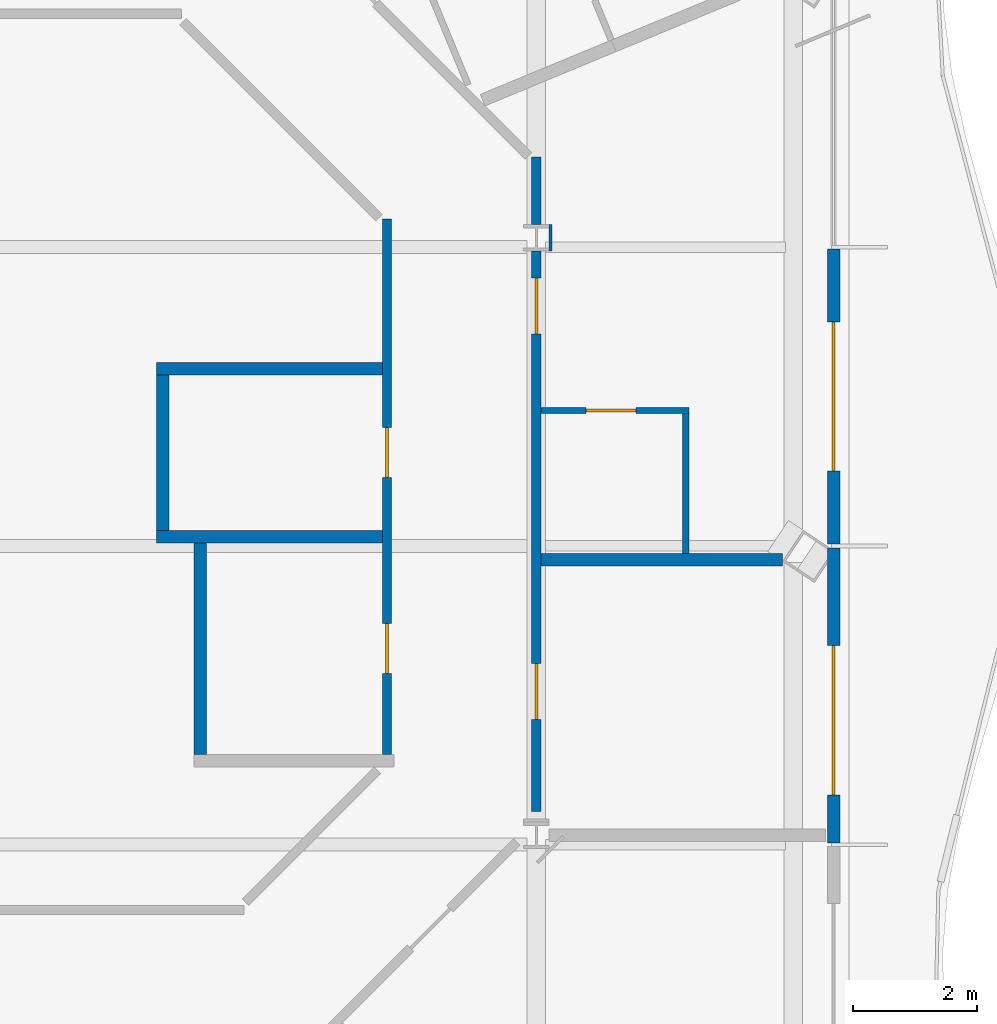
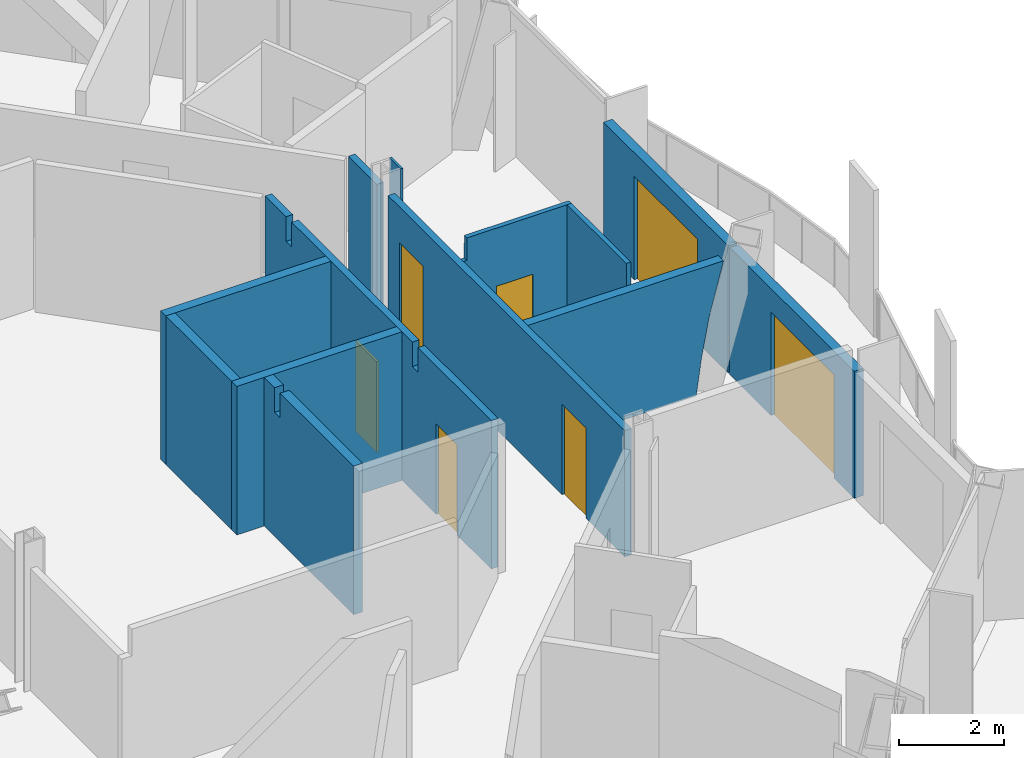
# One storey, part 11 of 22: 13 walls, 7 doors, 7 openings.
"""IFC4 building model written with IfcOpenShell, lengths in metres."""

from ifc_helpers import new_model, si_unit, direction, frame, frame_2d, origin, place, context, subcontext, project, spatial, polyline, rectangle, outline, extrude, material, layer, layer_set, type_object, element, fill, save


model = new_model("IFC4")

# Units and contexts
model_context = context("Model", 3, precision=1e-05, world=origin(), true_north=direction((0.0, 1.0)))
body_context = subcontext(model_context, "Body", "Model", "MODEL_VIEW")
ifc_project = project(units=[si_unit("LENGTHUNIT", "METRE"), si_unit("AREAUNIT", "SQUARE_METRE"), si_unit("VOLUMEUNIT", "CUBIC_METRE"), si_unit("PLANEANGLEUNIT", "RADIAN"), si_unit("MASSUNIT", "GRAM", prefix="KILO")], contexts=[model_context])

# Site, building, storey
site_placement = place(None, origin())
site = spatial("IfcSite", under=ifc_project, at=site_placement, CompositionType="ELEMENT")
building_placement = place(site_placement, origin())
building = spatial("IfcBuilding", under=site, at=building_placement, Name="Cairn Pilgrim Tower", CompositionType="ELEMENT")
storey_placement = place(building_placement, frame((0.0, 0.0, 175.800048828125)))
storey = spatial("IfcBuildingStorey", under=building, at=storey_placement, Name="L44", CompositionType="ELEMENT", Elevation=175.800048828125)

# Wall, opening, door
ifc_material_1 = material(Name="Bronze anodised aluminium insulated sandwich panel with mineral wool fill", Category="aluminium")
ifc_layer_1 = layer(ifc_material_1, 0.199951171875)
ifc_layer_set_1 = layer_set([ifc_layer_1], Name="BRONZE INFILL FRAME WALL 200")
wall_type_1 = type_object("IfcWallType", Name="BRONZE INFILL FRAME WALL 200", PredefinedType="NOTDEFINED", material=ifc_layer_set_1)
wall_1_placement = place(storey_placement, frame((35.97509765625, -0.1201171875, 0.0), z_axis=(0.0, 0.0, 1.0), x_axis=(0.0, 1.0, 0.0)))
wall_1 = element("IfcWall", 1, at=wall_1_placement, inside=storey, type_object=wall_type_1, Name="Bronze infill frame wall IW-E2", PredefinedType="NOTDEFINED", context=body_context, shape_type="SweptSolid", body=[
    extrude(rectangle(XDim=4.740234375, YDim=0.199951171875, at=frame_2d((2.3701171875, 0.0))), origin(), (0.0, 0.0, 1.0), 2.949951171875),
])
opening_1_placement = place(wall_1_placement, frame((0.77001953125, 0.0, 0.0)))
opening_1 = element("IfcOpeningElement", 2, at=opening_1_placement, cuts=wall_1, Name="Opening 4405B", PredefinedType="OPENING", context=body_context, shape_type="SweptSolid", body=[
    extrude(rectangle(XDim=2.39990234375, YDim=2.39990234375, at=frame_2d((1.199951171875, 1.199951171875))), frame((0.0, 0.10986328125, 0.0), z_axis=(0.0, -1.0, 0.0), x_axis=(1.0, 0.0, 0.0)), (0.0, 0.0, 1.0), 0.219970703125),
])
ifc_material_2 = material(Name="Bronze anodised aluminium frame with tinted low-E glass", Category="aluminium")
door_type_1 = type_object("IfcDoorType", Name="BALCONY SLIDING DOOR 2400x2400", OperationType="DOUBLE_DOOR_SLIDING", PredefinedType="DOOR", material=ifc_material_2)
door_1_placement = place(opening_1_placement, origin())
door_1 = element("IfcDoor", 3, at=door_1_placement, inside=storey, type_object=door_type_1, Name="Balcony sliding door 4405B", OperationType="SINGLE_SWING_LEFT", OverallHeight=2.39990234375, OverallWidth=2.39990234375, PredefinedType="DOOR", context=body_context, shape_type="SweptSolid", body=[
    extrude(rectangle(XDim=2.39990234375, YDim=2.39990234375, at=frame_2d((1.199951171875, 1.199951171875))), frame((0.0, 0.02490234375, 0.0), z_axis=(0.0, -1.0, 0.0), x_axis=(1.0, 0.0, 0.0)), (0.0, 0.0, 1.0), 0.050048828125),
])
fill(opening_1, door_1)

wall_2_placement = place(storey_placement, frame((35.97509765625, 4.679931640625, 0.0), z_axis=(0.0, 0.0, 1.0), x_axis=(0.0, 1.0, 0.0)))
wall_2 = element("IfcWall", 4, at=wall_2_placement, inside=storey, type_object=wall_type_1, Name="Bronze infill frame wall IW-E3", PredefinedType="NOTDEFINED", context=body_context, shape_type="SweptSolid", body=[
    extrude(rectangle(XDim=4.739990234375, YDim=0.199951171875, at=frame_2d((2.3701171875, 0.0))), origin(), (0.0, 0.0, 1.0), 2.949951171875),
])
opening_2_placement = place(wall_2_placement, frame((1.169921875, 0.0, 0.0)))
opening_2 = element("IfcOpeningElement", 5, at=opening_2_placement, cuts=wall_2, Name="Opening 4406B", PredefinedType="OPENING", context=body_context, shape_type="SweptSolid", body=[
    extrude(rectangle(XDim=2.39990234375, YDim=2.39990234375, at=frame_2d((1.199951171875, 1.199951171875))), frame((0.0, 0.10986328125, 0.0), z_axis=(0.0, -1.0, 0.0), x_axis=(1.0, 0.0, 0.0)), (0.0, 0.0, 1.0), 0.219970703125),
])
door_2_placement = place(opening_2_placement, origin())
door_2 = element("IfcDoor", 6, at=door_2_placement, inside=storey, type_object=door_type_1, Name="Balcony sliding door 4406B", OperationType="SINGLE_SWING_LEFT", OverallHeight=2.39990234375, OverallWidth=2.39990234375, PredefinedType="DOOR", context=body_context, shape_type="SweptSolid", body=[
    extrude(rectangle(XDim=2.39990234375, YDim=2.39990234375, at=frame_2d((1.199951171875, 1.199951171875))), frame((0.0, 0.02490234375, 0.0), z_axis=(0.0, -1.0, 0.0), x_axis=(1.0, 0.0, 0.0)), (0.0, 0.0, 1.0), 0.050048828125),
])
fill(opening_2, door_2)

# Wall
ifc_material_3 = material(Name="Gypsum partition")
ifc_layer_2 = layer(ifc_material_3, 0.10009765625)
ifc_layer_set_2 = layer_set([ifc_layer_2], Name="PARTITION 100 DRYWALL")
wall_type_2 = type_object("IfcWallType", Name="PARTITION 100 DRYWALL", PredefinedType="PARTITIONING", material=ifc_layer_set_2)
wall_3_placement = place(storey_placement, frame((33.60009765625, 4.52490234375, 0.0), z_axis=(0.0, 0.0, 1.0), x_axis=(0.0, 1.0, 0.0)))
element("IfcWall", 7, at=wall_3_placement, inside=storey, type_object=wall_type_2, Name="PARTITION W062", PredefinedType="PARTITIONING", context=body_context, shape_type="SweptSolid", body=[
    extrude(rectangle(XDim=2.25, YDim=0.10009765625, at=frame_2d((1.125, 0.0))), origin(), (0.0, 0.0, 1.0), 3.449951171875),
])

# Wall, opening, door
wall_4_placement = place(storey_placement, frame((31.27490234375, 6.824951171875, 0.0), z_axis=(0.0, 0.0, 1.0), x_axis=(1.0, 0.0, 0.0)))
wall_4 = element("IfcWall", 8, at=wall_4_placement, inside=storey, type_object=wall_type_2, Name="PARTITION W066", PredefinedType="PARTITIONING", context=body_context, shape_type="SweptSolid", body=[
    extrude(outline(polyline([(0.0, 0.0), (2.375, 0.0), (2.375, 3.449951171875), (0.074951171875, 3.449951171875), (0.072998046875, 2.929931640625), (0.0, 2.929931640625), (0.0, 0.0)])), frame((0.0, 0.050048828125, 0.0), z_axis=(0.0, -1.0, 0.0), x_axis=(1.0, 0.0, 0.0)), (0.0, 0.0, 1.0), 0.10009765625),
])
opening_3_placement = place(wall_4_placement, frame((0.72509765625, 0.0, 0.0)))
opening_3 = element("IfcOpeningElement", 9, at=opening_3_placement, cuts=wall_4, Name="Opening 4406A", PredefinedType="OPENING", context=body_context, shape_type="SweptSolid", body=[
    extrude(rectangle(XDim=0.800048828125, YDim=2.10009765625, at=frame_2d((0.39990234375, 1.050048828125))), frame((0.0, 0.06005859375, 0.0), z_axis=(0.0, -1.0, 0.0), x_axis=(1.0, 0.0, 0.0)), (0.0, 0.0, 1.0), 0.1201171875),
])
ifc_material_4 = material(Name="Timber door leaf", Category="wood")
door_type_2 = type_object("IfcDoorType", Name="WC DOOR 800x2100", OperationType="NOTDEFINED", PredefinedType="DOOR", material=ifc_material_4)
door_3_placement = place(opening_3_placement, origin())
door_3 = element("IfcDoor", 10, at=door_3_placement, inside=storey, type_object=door_type_2, Name="DOOR 4406A", OperationType="SINGLE_SWING_RIGHT", OverallHeight=2.10009765625, OverallWidth=0.800048828125, PredefinedType="DOOR", context=body_context, shape_type="SweptSolid", body=[
    extrude(rectangle(XDim=0.800048828125, YDim=2.10009765625, at=frame_2d((0.39990234375, 1.050048828125))), frame((0.0, 0.02490234375, 0.0), z_axis=(0.0, -1.0, 0.0), x_axis=(1.0, 0.0, 0.0)), (0.0, 0.0, 1.0), 0.050048828125),
])
fill(opening_3, door_3)

# Wall, openings, doors
ifc_layer_3 = layer(ifc_material_3, 0.14990234375)
ifc_layer_set_3 = layer_set([ifc_layer_3], Name="PARTITION 150 DRYWALL EI 60")
wall_type_3 = type_object("IfcWallType", Name="PARTITION 150 DRYWALL EI 60", PredefinedType="PARTITIONING", material=ifc_layer_set_3)
wall_5_placement = place(storey_placement, frame((31.199951171875, 0.38720703125, 0.0), z_axis=(0.0, 0.0, 1.0), x_axis=(0.0, 1.0, 0.0)))
wall_5 = element("IfcWall", 11, at=wall_5_placement, inside=storey, type_object=wall_type_3, Name="PARTITION W050", PredefinedType="PARTITIONING", context=body_context, shape_type="SweptSolid", body=[
    extrude(rectangle(XDim=9.000244140625, YDim=0.14990234375, at=frame_2d((4.5, 0.0))), origin(), (0.0, 0.0, 1.0), 2.929931640625),
])
opening_4_placement = place(wall_5_placement, frame((1.47802734375, 0.0, 0.0)))
opening_4 = element("IfcOpeningElement", 12, at=opening_4_placement, cuts=wall_5, Name="Opening 4405", PredefinedType="OPENING", context=body_context, shape_type="SweptSolid", body=[
    extrude(rectangle(XDim=0.89990234375, YDim=2.10009765625, at=frame_2d((0.449951171875, 1.050048828125))), frame((0.0, 0.0849609375, 0.0), z_axis=(0.0, -1.0, 0.0), x_axis=(1.0, 0.0, 0.0)), (0.0, 0.0, 1.0), 0.169921875),
])
opening_5_placement = place(wall_5_placement, frame((7.6708984375, 0.0, 0.0)))
opening_5 = element("IfcOpeningElement", 13, at=opening_5_placement, cuts=wall_5, Name="Opening 4406", PredefinedType="OPENING", context=body_context, shape_type="SweptSolid", body=[
    extrude(rectangle(XDim=0.89990234375, YDim=2.10009765625, at=frame_2d((0.449951171875, 1.050048828125))), frame((0.0, 0.0849609375, 0.0), z_axis=(0.0, -1.0, 0.0), x_axis=(1.0, 0.0, 0.0)), (0.0, 0.0, 1.0), 0.169921875),
])
door_type_3 = type_object("IfcDoorType", Name="ROOM DOOR 900x2100 FD30S", OperationType="NOTDEFINED", PredefinedType="DOOR", material=ifc_material_4)
door_4_placement = place(opening_5_placement, frame((0.89990234375, 0.0, 0.0), z_axis=(0.0, 0.0, 1.0), x_axis=(-1.0, 0.0, 0.0)))
door_4 = element("IfcDoor", 14, at=door_4_placement, inside=storey, type_object=door_type_3, Name="DOOR 4406", OperationType="SINGLE_SWING_RIGHT", OverallHeight=2.10009765625, OverallWidth=0.89990234375, PredefinedType="DOOR", context=body_context, shape_type="SweptSolid", body=[
    extrude(rectangle(XDim=0.89990234375, YDim=2.10009765625, at=frame_2d((0.449951171875, 1.050048828125))), frame((0.0, 0.02490234375, 0.0), z_axis=(0.0, -1.0, 0.0), x_axis=(1.0, 0.0, 0.0)), (0.0, 0.0, 1.0), 0.050048828125),
])
fill(opening_5, door_4)
door_type_4 = type_object("IfcDoorType", Name="SERVICE DOOR 900x2100 FD30S", OperationType="NOTDEFINED", PredefinedType="DOOR", material=ifc_material_4)
door_5_placement = place(opening_4_placement, frame((0.89990234375, 0.0, 0.0), z_axis=(0.0, 0.0, 1.0), x_axis=(-1.0, 0.0, 0.0)))
door_5 = element("IfcDoor", 15, at=door_5_placement, inside=storey, type_object=door_type_4, Name="DOOR 4405", OperationType="SINGLE_SWING_RIGHT", OverallHeight=2.10009765625, OverallWidth=0.89990234375, PredefinedType="DOOR", context=body_context, shape_type="SweptSolid", body=[
    extrude(rectangle(XDim=0.89990234375, YDim=2.10009765625, at=frame_2d((0.449951171875, 1.050048828125))), frame((0.0, 0.02490234375, 0.0), z_axis=(0.0, -1.0, 0.0), x_axis=(1.0, 0.0, 0.0)), (0.0, 0.0, 1.0), 0.050048828125),
])
fill(opening_4, door_5)

wall_6_placement = place(storey_placement, frame((28.800048828125, 1.300048828125, 0.0), z_axis=(0.0, 0.0, 1.0), x_axis=(0.0, 1.0, 0.0)))
wall_6 = element("IfcWall", 16, at=wall_6_placement, inside=storey, type_object=wall_type_3, Name="PARTITION W053", PredefinedType="PARTITIONING", context=body_context, shape_type="SweptSolid", body=[
    extrude(outline(polyline([(0.0, 0.0), (8.60205078125, 0.0), (8.60205078125, 3.449951171875), (7.804931640625, 3.449951171875), (7.802978515625, 2.8798828125), (7.594970703125, 2.8798828125), (7.593017578125, 3.449951171875), (3.0048828125, 3.449951171875), (3.0029296875, 2.8798828125), (2.794921875, 2.8798828125), (2.79296875, 3.449951171875), (0.0, 3.449951171875), (0.0, 0.0)])), frame((0.0, 0.074951171875, 0.0), z_axis=(0.0, -1.0, 0.0), x_axis=(1.0, 0.0, 0.0)), (0.0, 0.0, 1.0), 0.14990234375),
])
opening_6_placement = place(wall_6_placement, frame((1.300048828125, 0.0, 0.0)))
opening_6 = element("IfcOpeningElement", 17, at=opening_6_placement, cuts=wall_6, Name="Opening 4423", PredefinedType="OPENING", context=body_context, shape_type="SweptSolid", body=[
    extrude(rectangle(XDim=0.800048828125, YDim=2.10009765625, at=frame_2d((0.39990234375, 1.050048828125))), frame((0.0, 0.0849609375, 0.0), z_axis=(0.0, -1.0, 0.0), x_axis=(1.0, 0.0, 0.0)), (0.0, 0.0, 1.0), 0.169921875),
])
opening_7_placement = place(wall_6_placement, frame((4.449951171875, 0.0, 0.0)))
opening_7 = element("IfcOpeningElement", 18, at=opening_7_placement, cuts=wall_6, Name="Opening 4424", PredefinedType="OPENING", context=body_context, shape_type="SweptSolid", body=[
    extrude(rectangle(XDim=0.800048828125, YDim=2.10009765625, at=frame_2d((0.39990234375, 1.050048828125))), frame((0.0, 0.0849609375, 0.0), z_axis=(0.0, -1.0, 0.0), x_axis=(1.0, 0.0, 0.0)), (0.0, 0.0, 1.0), 0.169921875),
])
door_type_5 = type_object("IfcDoorType", Name="WC DOOR 800x2100 FD30S", OperationType="NOTDEFINED", PredefinedType="DOOR", material=ifc_material_4)
door_6_placement = place(opening_6_placement, origin())
door_6 = element("IfcDoor", 19, at=door_6_placement, inside=storey, type_object=door_type_5, Name="DOOR 4423", OperationType="SINGLE_SWING_RIGHT", OverallHeight=2.10009765625, OverallWidth=0.800048828125, PredefinedType="DOOR", context=body_context, shape_type="SweptSolid", body=[
    extrude(rectangle(XDim=0.800048828125, YDim=2.10009765625, at=frame_2d((0.39990234375, 1.050048828125))), frame((0.0, 0.02490234375, 0.0), z_axis=(0.0, -1.0, 0.0), x_axis=(1.0, 0.0, 0.0)), (0.0, 0.0, 1.0), 0.050048828125),
])
fill(opening_6, door_6)
door_7_placement = place(opening_7_placement, origin())
door_7 = element("IfcDoor", 20, at=door_7_placement, inside=storey, type_object=door_type_5, Name="DOOR 4424", OperationType="SINGLE_SWING_RIGHT", OverallHeight=2.10009765625, OverallWidth=0.800048828125, PredefinedType="DOOR", context=body_context, shape_type="SweptSolid", body=[
    extrude(rectangle(XDim=0.800048828125, YDim=2.10009765625, at=frame_2d((0.39990234375, 1.050048828125))), frame((0.0, 0.02490234375, 0.0), z_axis=(0.0, -1.0, 0.0), x_axis=(1.0, 0.0, 0.0)), (0.0, 0.0, 1.0), 0.050048828125),
])
fill(opening_7, door_7)

# Walls
wall_7_placement = place(storey_placement, frame((31.199951171875, 9.8125, 0.0), z_axis=(0.0, 0.0, 1.0), x_axis=(0.0, 1.0, 0.0)))
element("IfcWall", 21, at=wall_7_placement, inside=storey, type_object=wall_type_3, Name="PARTITION W069", PredefinedType="PARTITIONING", context=body_context, shape_type="SweptSolid", body=[
    extrude(rectangle(XDim=1.08349609375, YDim=0.14990234375, at=frame_2d((0.541748046875, 0.0))), origin(), (0.0, 0.0, 1.0), 2.929931640625),
])
ifc_layer_4 = layer(ifc_material_3, 0.050048828125)
ifc_layer_set_4 = layer_set([ifc_layer_4], Name="PARTITION 50 DRYWALL EI 60")
wall_type_4 = type_object("IfcWallType", Name="PARTITION 50 DRYWALL EI 60", PredefinedType="PARTITIONING", material=ifc_layer_set_4)
wall_8_placement = place(storey_placement, frame((31.429443359375, 9.387451171875, 0.0), z_axis=(0.0, 0.0, 1.0), x_axis=(0.0, 1.0, 0.0)))
element("IfcWall", 22, at=wall_8_placement, inside=storey, type_object=wall_type_4, Name="COLUMN CASING WC28", PredefinedType="PARTITIONING", context=body_context, shape_type="SweptSolid", body=[
    extrude(rectangle(XDim=0.425048828125, YDim=0.050048828125, at=frame_2d((0.21240234375, 0.0))), origin(), (0.0, 0.0, 1.0), 3.449951171875),
])
ifc_layer_5 = layer(ifc_material_3, 0.199951171875)
ifc_layer_set_5 = layer_set([ifc_layer_5], Name="SHAFT WALL 200 GYPSUM EI 60")
wall_type_5 = type_object("IfcWallType", Name="SHAFT WALL 200 GYPSUM EI 60", PredefinedType="PARTITIONING", material=ifc_layer_set_5)
wall_9_placement = place(storey_placement, frame((25.800048828125, 1.300048828125, 0.0), z_axis=(0.0, 0.0, 1.0), x_axis=(0.0, 1.0, 0.0)))
element("IfcWall", 23, at=wall_9_placement, inside=storey, type_object=wall_type_5, Name="PARTITION W052", PredefinedType="PARTITIONING", context=body_context, shape_type="SweptSolid", body=[
    extrude(outline(polyline([(0.0, 0.0), (3.39990234375, 0.0), (3.39990234375, 3.449951171875), (3.0048828125, 3.449951171875), (3.0029296875, 2.8798828125), (2.794921875, 2.8798828125), (2.79296875, 3.449951171875), (0.0, 3.449951171875), (0.0, 0.0)])), frame((0.0, 0.10009765625, 0.0), z_axis=(0.0, -1.0, 0.0), x_axis=(1.0, 0.0, 0.0)), (0.0, 0.0, 1.0), 0.199951171875),
])
wall_10_placement = place(storey_placement, frame((31.27490234375, 4.425048828125, 0.0), z_axis=(0.0, 0.0, 1.0), x_axis=(1.0, 0.0, 0.0)))
element("IfcWall", 24, at=wall_10_placement, inside=storey, type_object=wall_type_5, Name="PARTITION W060", PredefinedType="PARTITIONING", context=body_context, shape_type="SweptSolid", body=[
    extrude(outline(polyline([(0.0, 0.0), (3.696533203125, 0.0), (3.8173828125, 0.862548828125), (3.979248046875, 1.724853515625), (4.205078125, 2.58740234375), (4.2978515625, 2.929931640625), (0.0, 2.929931640625), (0.0, 2.58740234375), (0.0, 1.724853515625), (0.0, 0.862548828125), (0.0, 0.0)])), frame((0.0, 0.10009765625, 0.0), z_axis=(0.0, -1.0, 0.0), x_axis=(1.0, 0.0, 0.0)), (0.0, 0.0, 1.0), 0.199951171875),
])
wall_11_placement = place(storey_placement, frame((25.10009765625, 4.800048828125, 0.0), z_axis=(0.0, 0.0, 1.0), x_axis=(1.0, 0.0, 0.0)))
element("IfcWall", 25, at=wall_11_placement, inside=storey, type_object=wall_type_5, Name="PARTITION W063", PredefinedType="PARTITIONING", context=body_context, shape_type="SweptSolid", body=[
    extrude(rectangle(XDim=3.625, YDim=0.199951171875, at=frame_2d((1.8125, 0.0))), origin(), (0.0, 0.0, 1.0), 3.449951171875),
])
wall_12_placement = place(storey_placement, frame((25.199951171875, 4.89990234375, 0.0), z_axis=(0.0, 0.0, 1.0), x_axis=(0.0, 1.0, 0.0)))
element("IfcWall", 26, at=wall_12_placement, inside=storey, type_object=wall_type_5, Name="PARTITION W064", PredefinedType="PARTITIONING", context=body_context, shape_type="SweptSolid", body=[
    extrude(rectangle(XDim=2.5, YDim=0.199951171875, at=frame_2d((1.25, 0.0))), origin(), (0.0, 0.0, 1.0), 3.449951171875),
])
wall_13_placement = place(storey_placement, frame((25.10009765625, 7.5, 0.0), z_axis=(0.0, 0.0, 1.0), x_axis=(1.0, 0.0, 0.0)))
element("IfcWall", 27, at=wall_13_placement, inside=storey, type_object=wall_type_5, Name="PARTITION W067", PredefinedType="PARTITIONING", context=body_context, shape_type="SweptSolid", body=[
    extrude(rectangle(XDim=3.625, YDim=0.199951171875, at=frame_2d((1.8125, 0.0))), origin(), (0.0, 0.0, 1.0), 3.449951171875),
])

save(model, "model.ifc")
